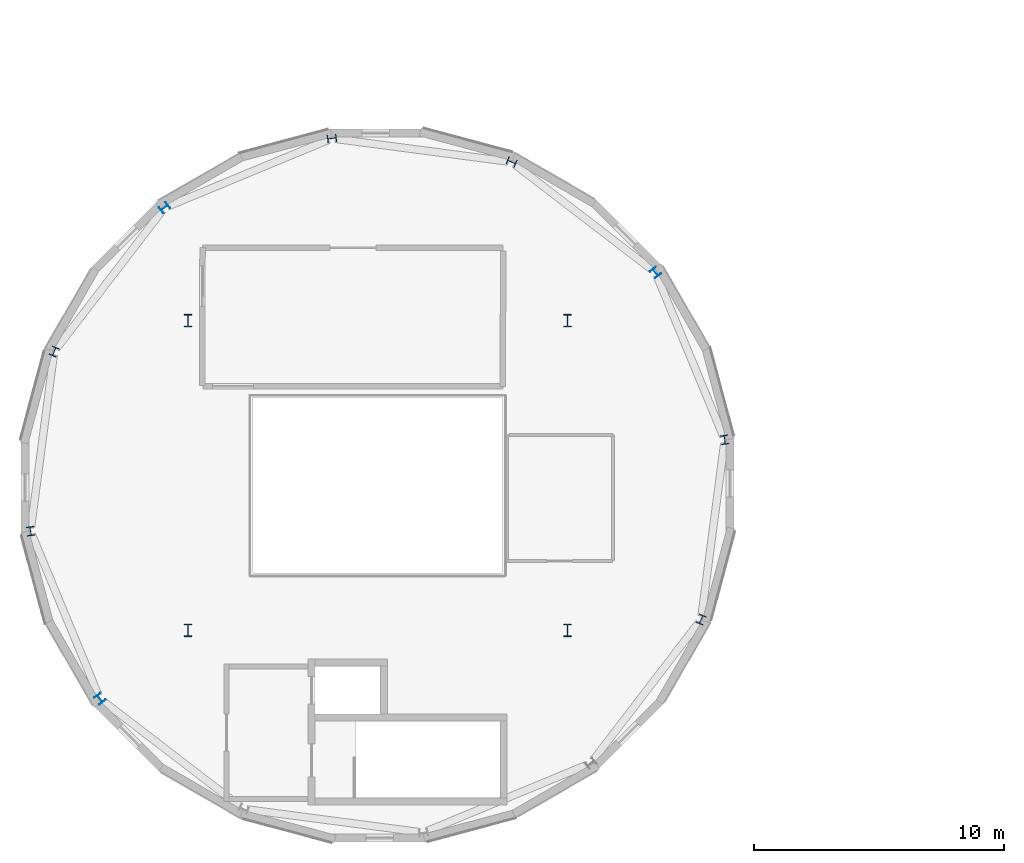
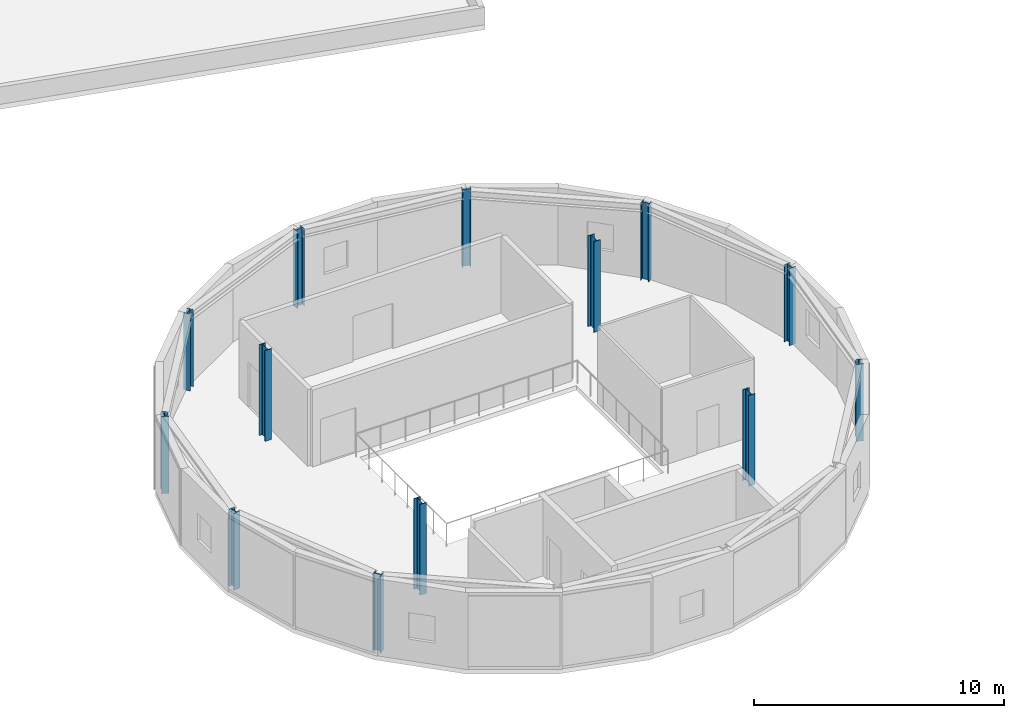
# One storey, part 3 of 44: 13 columns.
"""IFC4 building model written with IfcOpenShell, lengths in metres."""

from ifc_helpers import new_model, si_unit, direction, frame, origin, origin_2d, place, context, subcontext, project, spatial, i_section, extrude, material, material_profile, profile_set, type_object, element, save


model = new_model("IFC4")

# Units and contexts
model_context = context("Model", 3, precision=1e-05, world=origin(), true_north=direction((0.0, 1.0)))
body_context = subcontext(model_context, "Body", "Model", "MODEL_VIEW")
ifc_project = project(units=[si_unit("LENGTHUNIT", "METRE"), si_unit("AREAUNIT", "SQUARE_METRE"), si_unit("VOLUMEUNIT", "CUBIC_METRE"), si_unit("PLANEANGLEUNIT", "RADIAN"), si_unit("MASSUNIT", "GRAM", prefix="KILO")], contexts=[model_context])

# Site, building, storey
site_placement = place(None, origin())
site = spatial("IfcSite", under=ifc_project, at=site_placement, CompositionType="ELEMENT")
building_placement = place(site_placement, origin())
building = spatial("IfcBuilding", under=site, at=building_placement, Name="Varnklinge Art Gallery", CompositionType="ELEMENT")
storey_placement = place(building_placement, frame((0.0, 0.0, 13.679931640625)))
storey = spatial("IfcBuildingStorey", under=building, at=storey_placement, Name="L03", CompositionType="ELEMENT", Elevation=13.679931640625)

# Columns
ifc_material_1 = material(Name="Steel S355", Category="steel")
ifc_material_profile_1 = material_profile(ifc_material_1, i_section(OverallWidth=0.300048828125, OverallDepth=0.5, WebThickness=0.014404296875, FlangeThickness=0.028076171875, FilletRadius=0.027099609375, at=origin_2d()), Name="HEB 500")
ifc_profile_set_1 = profile_set([ifc_material_profile_1], Name="Steel S355")
column_type_1 = type_object("IfcColumnType", Name="COL-05", PredefinedType="COLUMN", material=ifc_profile_set_1)
for number, where, z_axis, x_axis, name in (
    (1, (14.199951171875, 46.199951171875, 0.0), (0.0, 0.0, 1.0), (1.0, 0.0, 0.0), "L03 Column V3CI-1"),
    (2, (29.39990234375, 46.199951171875, 0.0), (0.0, 0.0, 1.0), (1.0, 0.0, 0.0), "L03 Column V3CI-2"),
    (3, (29.39990234375, 58.60009765625, 0.0), (0.0, 0.0, 1.0), (1.0, 0.0, 0.0), "L03 Column V3CI-3"),
    (4, (14.199951171875, 58.60009765625, 0.0), (0.0, 0.0, 1.0), (1.0, 0.0, 0.0), "L03 Column V3CI-4"),
):
    element("IfcColumn", number, at=place(storey_placement, frame(where, z_axis=z_axis, x_axis=x_axis)), inside=storey, type_object=column_type_1, Name=name, PredefinedType="COLUMN", context=body_context, shape_type="SweptSolid", body=[
        extrude(i_section(OverallWidth=0.300048828125, OverallDepth=0.5, WebThickness=0.014404296875, FlangeThickness=0.028076171875, FilletRadius=0.027099609375, at=origin_2d()), origin(), (0.0, 0.0, 1.0), 4.440185546875),
    ])
ifc_material_2 = material(Name="Steel S355", Category="steel")
ifc_material_profile_2 = material_profile(ifc_material_2, i_section(OverallWidth=0.300048828125, OverallDepth=0.360107421875, WebThickness=0.012451171875, FlangeThickness=0.0224609375, FilletRadius=0.027099609375, at=origin_2d()), Name="HEB 360")
ifc_profile_set_2 = profile_set([ifc_material_profile_2], Name="Steel S355")
column_type_2 = type_object("IfcColumnType", Name="COL-E4", PredefinedType="COLUMN", material=ifc_profile_set_2)
for number, where, z_axis, x_axis, name in (
    (5, (35.7001953125, 53.830078125, 0.0), (0.0, 0.0, 1.0), (0.991444861374, 0.13052619222, 0.0), "L03 Column V3CP-01"),
    (6, (32.9228515625, 60.534912109375, 0.0), (0.0, 0.0, 1.0), (0.793353340291, 0.608761429009, 0.0), "L03 Column V3CP-02"),
    (7, (27.165283203125, 64.952880859375, 0.0), (0.0, 0.0, 1.0), (0.382683432365, 0.923879532511, 0.0), "L03 Column V3CP-03"),
    (8, (19.969970703125, 65.900146484375, 0.0), (0.0, 0.0, 1.0), (-0.13052619222, 0.991444861374, 0.0), "L03 Column V3CP-04"),
    (9, (13.26513671875, 63.122802734375, 0.0), (0.0, 0.0, 1.0), (-0.608761429009, 0.793353340291, 0.0), "L03 Column V3CP-05"),
    (10, (8.84716796875, 57.365234375, 0.0), (0.0, 0.0, 1.0), (-0.923879532511, 0.382683432365, 0.0), "L03 Column V3CP-06"),
    (11, (7.89990234375, 50.169921875, 0.0), (0.0, 0.0, 1.0), (-0.991444861374, -0.13052619222, 0.0), "L03 Column V3CP-07"),
    (12, (10.67724609375, 43.465087890625, 0.0), (0.0, 0.0, 1.0), (-0.793353340291, -0.608761429009, 0.0), "L03 Column V3CP-08"),
    (13, (34.752685546875, 46.634765625, 0.0), (0.0, 0.0, 1.0), (0.923879532511, -0.382683432365, 0.0), "L03 Column V3CP-12"),
):
    element("IfcColumn", number, at=place(storey_placement, frame(where, z_axis=z_axis, x_axis=x_axis)), inside=storey, type_object=column_type_2, Name=name, PredefinedType="COLUMN", context=body_context, shape_type="SweptSolid", body=[
        extrude(i_section(OverallWidth=0.300048828125, OverallDepth=0.360107421875, WebThickness=0.012451171875, FlangeThickness=0.0224609375, FilletRadius=0.027099609375, at=origin_2d()), origin(), (0.0, 0.0, 1.0), 3.760009765625),
    ])

save(model, "model.ifc")
